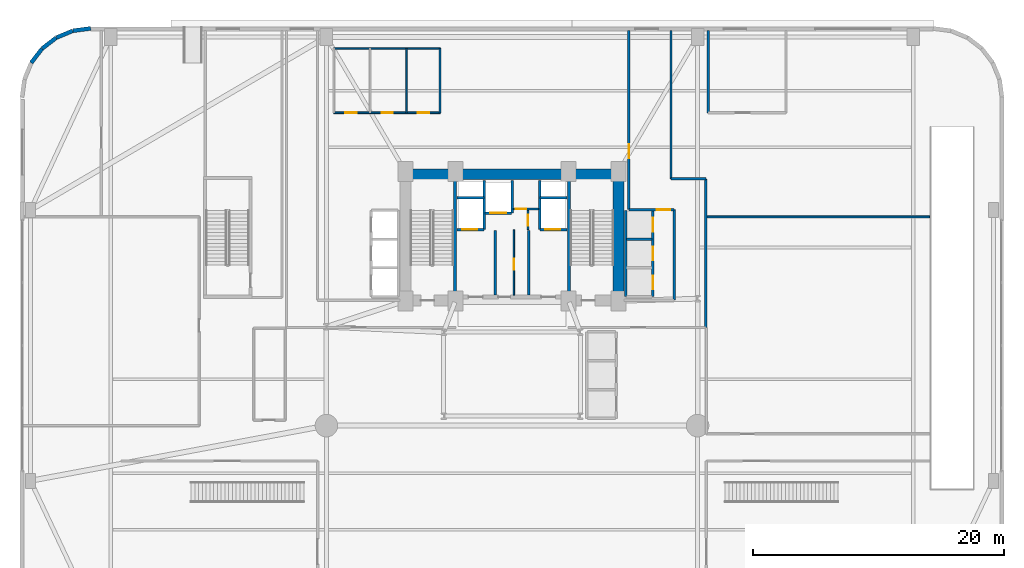
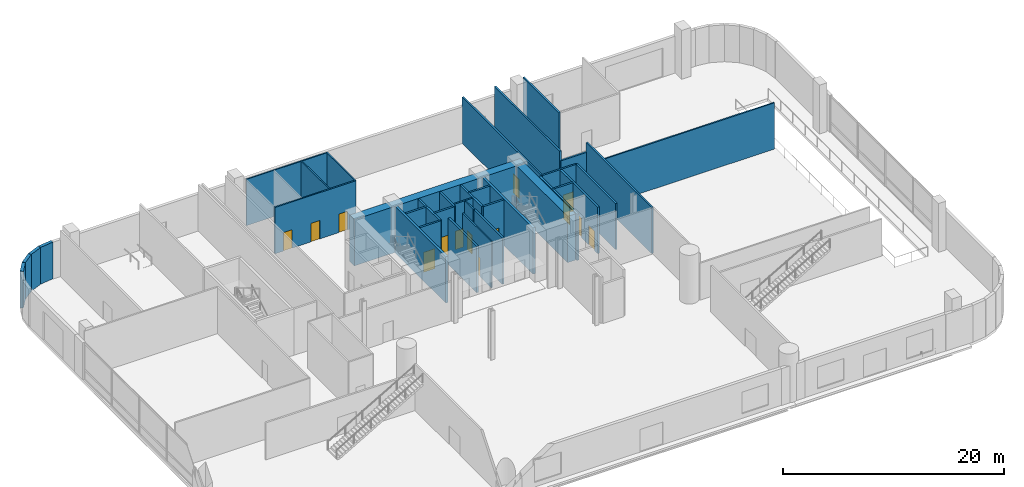
# One storey, part 18 of 26: 36 walls, 14 doors, 14 openings.
"""IFC4 building model written with IfcOpenShell, lengths in metres."""

from ifc_helpers import new_model, si_unit, direction, frame, frame_2d, origin, place, context, subcontext, project, spatial, rectangle, extrude, material, layer, layer_set, type_object, element, fill, save


model = new_model("IFC4")

# Units and contexts
model_context = context("Model", 3, precision=1e-05, world=origin(), true_north=direction((0.0, 1.0)))
body_context = subcontext(model_context, "Body", "Model", "MODEL_VIEW")
ifc_project = project(units=[si_unit("LENGTHUNIT", "METRE"), si_unit("AREAUNIT", "SQUARE_METRE"), si_unit("VOLUMEUNIT", "CUBIC_METRE"), si_unit("PLANEANGLEUNIT", "RADIAN"), si_unit("MASSUNIT", "GRAM", prefix="KILO")], contexts=[model_context])

# Site, building, storey
site_placement = place(None, origin())
site = spatial("IfcSite", under=ifc_project, at=site_placement, CompositionType="ELEMENT")
building_placement = place(site_placement, origin())
building = spatial("IfcBuilding", under=site, at=building_placement, Name="Varnelok Gate Tower", CompositionType="ELEMENT")
storey_placement = place(building_placement, origin())
storey = spatial("IfcBuildingStorey", under=building, at=storey_placement, Name="L00", CompositionType="ELEMENT", Elevation=0.0)

# Walls
ifc_material_1 = material(Name="Concrete C45/55", Category="concrete")
ifc_layer_1 = layer(ifc_material_1, 0.320068359375)
ifc_layer_set_1 = layer_set([ifc_layer_1], Name="Concrete C45/55")
wall_type_1 = type_object("IfcWallType", Name="EW-POD-320", PredefinedType="SOLIDWALL", material=ifc_layer_set_1)
wall_1_placement = place(storey_placement, frame((5.60009765625, 50.47900390625, 0.0), z_axis=(0.0, 0.0, 1.0), x_axis=(-0.991439766505, -0.130564885759, 0.0)))
element("IfcWall", 1, at=wall_1_placement, inside=storey, type_object=wall_type_1, Name="L00 Perimeter Facade Closure Wall 25", PredefinedType="SOLIDWALL", context=body_context, shape_type="SweptSolid", body=[
    extrude(rectangle(XDim=1.430419921875, YDim=0.320068359375, at=frame_2d((0.71533203125, 0.0))), origin(), (0.0, 0.0, 1.0), 4.070068359375),
])
wall_2_placement = place(storey_placement, frame((4.15869140625, 50.28271484375, 0.0), z_axis=(0.0, 0.0, 1.0), x_axis=(-0.923841042178, -0.382776343035, 0.0)))
element("IfcWall", 2, at=wall_2_placement, inside=storey, type_object=wall_type_1, Name="L00 Perimeter Facade Closure Wall 26", PredefinedType="SOLIDWALL", context=body_context, shape_type="SweptSolid", body=[
    extrude(rectangle(XDim=1.405029296875, YDim=0.320068359375, at=frame_2d((0.70263671875, 0.0))), origin(), (0.0, 0.0, 1.0), 4.070068359375),
])
wall_3_placement = place(storey_placement, frame((2.8408203125, 49.729736328125, 0.0), z_axis=(0.0, 0.0, 1.0), x_axis=(-0.79338541907, -0.60871962085, 0.0)))
element("IfcWall", 3, at=wall_3_placement, inside=storey, type_object=wall_type_1, Name="L00 Perimeter Facade Closure Wall 27", PredefinedType="SOLIDWALL", context=body_context, shape_type="SweptSolid", body=[
    extrude(rectangle(XDim=1.4052734375, YDim=0.320068359375, at=frame_2d((0.70263671875, 0.0))), origin(), (0.0, 0.0, 1.0), 4.070068359375),
])
wall_4_placement = place(storey_placement, frame((1.710693359375, 48.8544921875, 0.0), z_axis=(0.0, 0.0, 1.0), x_axis=(-0.608828954222, -0.793301521807, 0.0)))
element("IfcWall", 4, at=wall_4_placement, inside=storey, type_object=wall_type_1, Name="L00 Perimeter Facade Closure Wall 28", PredefinedType="SOLIDWALL", context=body_context, shape_type="SweptSolid", body=[
    extrude(rectangle(XDim=1.405517578125, YDim=0.320068359375, at=frame_2d((0.70263671875, 0.0))), origin(), (0.0, 0.0, 1.0), 4.070068359375),
])
ifc_material_2 = material(Name="Gypsum Plasterboard Acoustic Partition", Category="gypsum")
ifc_layer_2 = layer(ifc_material_2, 0.179931640625)
ifc_layer_set_2 = layer_set([ifc_layer_2], Name="Gypsum Plasterboard Acoustic Partition")
wall_type_2 = type_object("IfcWallType", Name="PW-CORR-180", PredefinedType="PARTITIONING", material=ifc_layer_set_2)
wall_5_placement = place(storey_placement, frame((52.139892578125, 28.800048828125, 0.0), z_axis=(0.0, 0.0, 1.0), x_axis=(0.0, 1.0, 0.0)))
element("IfcWall", 5, at=wall_5_placement, inside=storey, type_object=wall_type_2, Name="Interior Partition", PredefinedType="PARTITIONING", context=body_context, shape_type="SweptSolid", body=[
    extrude(rectangle(XDim=7.219970703125, YDim=0.179931640625, at=frame_2d((3.60986328125, 0.0))), origin(), (0.0, 0.0, 1.0), 5.1201171875),
])

# Wall, opening, door
wall_6_placement = place(storey_placement, frame((48.52001953125, 36.02001953125, 0.0), z_axis=(0.0, 0.0, 1.0), x_axis=(1.0, 0.0, 0.0)))
wall_6 = element("IfcWall", 6, at=wall_6_placement, inside=storey, type_object=wall_type_2, Name="Interior Partition", PredefinedType="PARTITIONING", context=body_context, shape_type="SweptSolid", body=[
    extrude(rectangle(XDim=3.619873046875, YDim=0.179931640625, at=frame_2d((1.81005859375, 0.0))), origin(), (0.0, 0.0, 1.0), 5.1201171875),
])
opening_1_placement = place(wall_6_placement, frame((2.208251953125, 0.0, 0.0)))
opening_1 = element("IfcOpeningElement", 7, at=opening_1_placement, cuts=wall_6, Name="Opening D-FF", PredefinedType="OPENING", context=body_context, shape_type="SweptSolid", body=[
    extrude(rectangle(XDim=1.10009765625, YDim=2.14990234375, at=frame_2d((0.550048828125, 1.074951171875))), frame((0.0, 0.099853515625, 0.0), z_axis=(0.0, -1.0, 0.0), x_axis=(1.0, 0.0, 0.0)), (0.0, 0.0, 1.0), 0.199951171875),
])
ifc_material_3 = material(Name="Galvanized Steel Grade S350GD", Category="steel")
door_type_1 = type_object("IfcDoorType", Name="DR-FFLOB-1100", OperationType="NOTDEFINED", PredefinedType="DOOR", material=ifc_material_3)
door_1_placement = place(opening_1_placement, origin())
door_1 = element("IfcDoor", 8, at=door_1_placement, inside=storey, type_object=door_type_1, Name="L00 Mid-Rise Lift Lobby Exit Door", OperationType="SINGLE_SWING_LEFT", OverallHeight=2.14990234375, OverallWidth=1.10009765625, PredefinedType="DOOR", context=body_context, shape_type="SweptSolid", body=[
    extrude(rectangle(XDim=1.10009765625, YDim=2.14990234375, at=frame_2d((0.550048828125, 1.074951171875))), frame((0.0, 0.02490234375, 0.0), z_axis=(0.0, -1.0, 0.0), x_axis=(1.0, 0.0, 0.0)), (0.0, 0.0, 1.0), 0.050048828125),
])
fill(opening_1, door_1)

wall_7_placement = place(storey_placement, frame((48.52001953125, 36.02001953125, 0.0), z_axis=(0.0, 0.0, 1.0), x_axis=(0.0, 1.0, 0.0)))
wall_7 = element("IfcWall", 9, at=wall_7_placement, inside=storey, type_object=wall_type_2, Name="Interior Partition", PredefinedType="PARTITIONING", context=body_context, shape_type="SweptSolid", body=[
    extrude(rectangle(XDim=14.300048828125, YDim=0.179931640625, at=frame_2d((7.14990234375, 0.0))), origin(), (0.0, 0.0, 1.0), 5.1201171875),
])
opening_2_placement = place(wall_7_placement, frame((4.103271484375, 0.0, 0.0)))
opening_2 = element("IfcOpeningElement", 10, at=opening_2_placement, cuts=wall_7, Name="Opening D-FF", PredefinedType="OPENING", context=body_context, shape_type="SweptSolid", body=[
    extrude(rectangle(XDim=1.10009765625, YDim=2.14990234375, at=frame_2d((0.550048828125, 1.074951171875))), frame((0.0, 0.099853515625, 0.0), z_axis=(0.0, -1.0, 0.0), x_axis=(1.0, 0.0, 0.0)), (0.0, 0.0, 1.0), 0.199951171875),
])
door_2_placement = place(opening_2_placement, origin())
door_2 = element("IfcDoor", 11, at=door_2_placement, inside=storey, type_object=door_type_1, Name="L00 East Exit Passage Lobby Door", OperationType="SINGLE_SWING_RIGHT", OverallHeight=2.14990234375, OverallWidth=1.10009765625, PredefinedType="DOOR", context=body_context, shape_type="SweptSolid", body=[
    extrude(rectangle(XDim=1.10009765625, YDim=2.14990234375, at=frame_2d((0.550048828125, 1.074951171875))), frame((0.0, 0.02490234375, 0.0), z_axis=(0.0, -1.0, 0.0), x_axis=(1.0, 0.0, 0.0)), (0.0, 0.0, 1.0), 0.050048828125),
])
fill(opening_2, door_2)

# Walls
wall_8_placement = place(storey_placement, frame((51.8798828125, 38.47998046875, 0.0), z_axis=(0.0, 0.0, 1.0), x_axis=(1.0, 0.0, 0.0)))
element("IfcWall", 12, at=wall_8_placement, inside=storey, type_object=wall_type_2, Name="Interior Partition", PredefinedType="PARTITIONING", context=body_context, shape_type="SweptSolid", body=[
    extrude(rectangle(XDim=2.780029296875, YDim=0.179931640625, at=frame_2d((1.39013671875, 0.0))), origin(), (0.0, 0.0, 1.0), 4.0849609375),
])
wall_9_placement = place(storey_placement, frame((51.8798828125, 38.47998046875, 0.0), z_axis=(0.0, 0.0, 1.0), x_axis=(0.0, 1.0, 0.0)))
element("IfcWall", 13, at=wall_9_placement, inside=storey, type_object=wall_type_2, Name="Interior Partition", PredefinedType="PARTITIONING", context=body_context, shape_type="SweptSolid", body=[
    extrude(rectangle(XDim=11.840087890625, YDim=0.179931640625, at=frame_2d((5.919921875, 0.0))), origin(), (0.0, 0.0, 1.0), 5.1201171875),
])
wall_10_placement = place(storey_placement, frame((54.659912109375, 26.6201171875, 0.0), z_axis=(0.0, 0.0, 1.0), x_axis=(0.0, 1.0, 0.0)))
element("IfcWall", 14, at=wall_10_placement, inside=storey, type_object=wall_type_2, Name="Interior Partition", PredefinedType="PARTITIONING", context=body_context, shape_type="SweptSolid", body=[
    extrude(rectangle(XDim=11.85986328125, YDim=0.179931640625, at=frame_2d((5.929931640625, 0.0))), origin(), (0.0, 0.0, 1.0), 5.1201171875),
])
wall_11_placement = place(storey_placement, frame((54.85009765625, 43.75, 0.0), z_axis=(0.0, 0.0, 1.0), x_axis=(0.0, 1.0, 0.0)))
element("IfcWall", 15, at=wall_11_placement, inside=storey, type_object=wall_type_2, Name="Interior Partition", PredefinedType="PARTITIONING", context=body_context, shape_type="SweptSolid", body=[
    extrude(rectangle(XDim=6.550048828125, YDim=0.179931640625, at=frame_2d((3.27490234375, 0.0))), origin(), (0.0, 0.0, 1.0), 5.1201171875),
])
ifc_layer_3 = layer(ifc_material_2, 0.125)
ifc_layer_set_3 = layer_set([ifc_layer_3], Name="Gypsum Plasterboard Acoustic Partition")
wall_type_3 = type_object("IfcWallType", Name="PW-PART-125", PredefinedType="PARTITIONING", material=ifc_layer_set_3)
for number, where, z_axis, x_axis, name in (
    (16, (30.780029296875, 43.75, 0.0), (0.0, 0.0, 1.0), (0.0, 1.0, 0.0), "Interior Partition"),
    (17, (33.4599609375, 43.75, 0.0), (0.0, 0.0, 1.0), (0.0, 1.0, 0.0), "Interior Partition"),
):
    element("IfcWall", number, at=place(storey_placement, frame(where, z_axis=z_axis, x_axis=x_axis)), inside=storey, type_object=wall_type_3, Name=name, PredefinedType="PARTITIONING", context=body_context, shape_type="SweptSolid", body=[
        extrude(rectangle(XDim=5.1298828125, YDim=0.125, at=frame_2d((2.56494140625, 0.0))), origin(), (0.0, 0.0, 1.0), 5.1201171875),
    ])
wall_12_placement = place(storey_placement, frame((25.0, 48.8798828125, 0.0), z_axis=(0.0, 0.0, 1.0), x_axis=(1.0, 0.0, 0.0)))
element("IfcWall", 18, at=wall_12_placement, inside=storey, type_object=wall_type_3, Name="Interior Partition", PredefinedType="PARTITIONING", context=body_context, shape_type="SweptSolid", body=[
    extrude(rectangle(XDim=8.4599609375, YDim=0.125, at=frame_2d((4.22998046875, 0.0))), origin(), (0.0, 0.0, 1.0), 5.1201171875),
])

# Wall, opening, door
wall_13_placement = place(storey_placement, frame((39.35009765625, 29.199951171875, 0.0), z_axis=(0.0, 0.0, 1.0), x_axis=(0.0, 1.0, 0.0)))
wall_13 = element("IfcWall", 19, at=wall_13_placement, inside=storey, type_object=wall_type_3, Name="Interior Partition", PredefinedType="PARTITIONING", context=body_context, shape_type="SweptSolid", body=[
    extrude(rectangle(XDim=5.219970703125, YDim=0.125, at=frame_2d((2.60986328125, 0.0))), origin(), (0.0, 0.0, 1.0), 5.1201171875),
])
opening_3_placement = place(wall_13_placement, frame((2.050048828125, 0.0, 0.0)))
opening_3 = element("IfcOpeningElement", 20, at=opening_3_placement, cuts=wall_13, Name="Opening D-RS", PredefinedType="OPENING", context=body_context, shape_type="SweptSolid", body=[
    extrude(rectangle(XDim=0.85009765625, YDim=2.050048828125, at=frame_2d((0.425048828125, 1.02490234375))), frame((0.0, 0.072509765625, 0.0), z_axis=(0.0, -1.0, 0.0), x_axis=(1.0, 0.0, 0.0)), (0.0, 0.0, 1.0), 0.14501953125),
])
door_type_2 = type_object("IfcDoorType", Name="DR-RISER-850", OperationType="NOTDEFINED", PredefinedType="DOOR", material=ifc_material_3)
door_3_placement = place(opening_3_placement, origin())
door_3 = element("IfcDoor", 21, at=door_3_placement, inside=storey, type_object=door_type_2, Name="L00 Housekeeping Linen Door", OperationType="SINGLE_SWING_RIGHT", OverallHeight=2.050048828125, OverallWidth=0.85009765625, PredefinedType="DOOR", context=body_context, shape_type="SweptSolid", body=[
    extrude(rectangle(XDim=0.85009765625, YDim=2.050048828125, at=frame_2d((0.425048828125, 1.02490234375))), frame((0.0, 0.02490234375, 0.0), z_axis=(0.0, -1.0, 0.0), x_axis=(1.0, 0.0, 0.0)), (0.0, 0.0, 1.0), 0.050048828125),
])
fill(opening_3, door_3)

# Wall, openings, doors
ifc_layer_4 = layer(ifc_material_2, 0.14990234375)
ifc_layer_set_4 = layer_set([ifc_layer_4], Name="Gypsum Plasterboard Acoustic Partition")
wall_type_4 = type_object("IfcWallType", Name="PW-PART-150", PredefinedType="PARTITIONING", material=ifc_layer_set_4)
wall_14_placement = place(storey_placement, frame((25.0, 43.75, 0.0), z_axis=(0.0, 0.0, 1.0), x_axis=(1.0, 0.0, 0.0)))
wall_14 = element("IfcWall", 22, at=wall_14_placement, inside=storey, type_object=wall_type_4, Name="Interior Partition", PredefinedType="PARTITIONING", context=body_context, shape_type="SweptSolid", body=[
    extrude(rectangle(XDim=8.4599609375, YDim=0.14990234375, at=frame_2d((4.22998046875, 0.0))), origin(), (0.0, 0.0, 1.0), 5.1201171875),
])
opening_4_placement = place(wall_14_placement, frame((0.89990234375, 0.0, 0.0)))
opening_4 = element("IfcOpeningElement", 23, at=opening_4_placement, cuts=wall_14, Name="Opening D-WC", PredefinedType="OPENING", context=body_context, shape_type="SweptSolid", body=[
    extrude(rectangle(XDim=0.89990234375, YDim=2.050048828125, at=frame_2d((0.449951171875, 1.02490234375))), frame((0.0, 0.0849609375, 0.0), z_axis=(0.0, -1.0, 0.0), x_axis=(1.0, 0.0, 0.0)), (0.0, 0.0, 1.0), 0.169921875),
])
opening_5_placement = place(wall_14_placement, frame((3.800048828125, 0.0, 0.0)))
opening_5 = element("IfcOpeningElement", 24, at=opening_5_placement, cuts=wall_14, Name="Opening D-WC", PredefinedType="OPENING", context=body_context, shape_type="SweptSolid", body=[
    extrude(rectangle(XDim=0.89990234375, YDim=2.050048828125, at=frame_2d((0.449951171875, 1.02490234375))), frame((0.0, 0.0849609375, 0.0), z_axis=(0.0, -1.0, 0.0), x_axis=(1.0, 0.0, 0.0)), (0.0, 0.0, 1.0), 0.169921875),
])
opening_6_placement = place(wall_14_placement, frame((6.699951171875, 0.0, 0.0)))
opening_6 = element("IfcOpeningElement", 25, at=opening_6_placement, cuts=wall_14, Name="Opening D-WC", PredefinedType="OPENING", context=body_context, shape_type="SweptSolid", body=[
    extrude(rectangle(XDim=0.89990234375, YDim=2.050048828125, at=frame_2d((0.449951171875, 1.02490234375))), frame((0.0, 0.0849609375, 0.0), z_axis=(0.0, -1.0, 0.0), x_axis=(1.0, 0.0, 0.0)), (0.0, 0.0, 1.0), 0.169921875),
])
ifc_material_4 = material(Name="Engineered Hardwood Timber", Category="wood")
door_type_3 = type_object("IfcDoorType", Name="DR-BATH-900", OperationType="NOTDEFINED", PredefinedType="DOOR", material=ifc_material_4)
door_4_placement = place(opening_4_placement, origin())
door_4 = element("IfcDoor", 26, at=door_4_placement, inside=storey, type_object=door_type_3, Name="L00 Male WC Door", OperationType="SINGLE_SWING_LEFT", OverallHeight=2.050048828125, OverallWidth=0.89990234375, PredefinedType="DOOR", context=body_context, shape_type="SweptSolid", body=[
    extrude(rectangle(XDim=0.89990234375, YDim=2.050048828125, at=frame_2d((0.449951171875, 1.02490234375))), frame((0.0, 0.02490234375, 0.0), z_axis=(0.0, -1.0, 0.0), x_axis=(1.0, 0.0, 0.0)), (0.0, 0.0, 1.0), 0.050048828125),
])
fill(opening_4, door_4)
door_5_placement = place(opening_5_placement, origin())
door_5 = element("IfcDoor", 27, at=door_5_placement, inside=storey, type_object=door_type_3, Name="L00 Female WC Door", OperationType="SINGLE_SWING_RIGHT", OverallHeight=2.050048828125, OverallWidth=0.89990234375, PredefinedType="DOOR", context=body_context, shape_type="SweptSolid", body=[
    extrude(rectangle(XDim=0.89990234375, YDim=2.050048828125, at=frame_2d((0.449951171875, 1.02490234375))), frame((0.0, 0.02490234375, 0.0), z_axis=(0.0, -1.0, 0.0), x_axis=(1.0, 0.0, 0.0)), (0.0, 0.0, 1.0), 0.050048828125),
])
fill(opening_5, door_5)
door_6_placement = place(opening_6_placement, origin())
door_6 = element("IfcDoor", 28, at=door_6_placement, inside=storey, type_object=door_type_3, Name="L00 Accessible WC Door", OperationType="SINGLE_SWING_LEFT", OverallHeight=2.050048828125, OverallWidth=0.89990234375, PredefinedType="DOOR", context=body_context, shape_type="SweptSolid", body=[
    extrude(rectangle(XDim=0.89990234375, YDim=2.050048828125, at=frame_2d((0.449951171875, 1.02490234375))), frame((0.0, 0.02490234375, 0.0), z_axis=(0.0, -1.0, 0.0), x_axis=(1.0, 0.0, 0.0)), (0.0, 0.0, 1.0), 0.050048828125),
])
fill(opening_6, door_6)

# Wall
wall_15_placement = place(storey_placement, frame((54.699951171875, 35.449951171875, 0.0), z_axis=(0.0, 0.0, 1.0), x_axis=(1.0, 0.0, 0.0)))
element("IfcWall", 29, at=wall_15_placement, inside=storey, type_object=wall_type_4, Name="Interior Partition", PredefinedType="PARTITIONING", context=body_context, shape_type="SweptSolid", body=[
    extrude(rectangle(XDim=17.800048828125, YDim=0.14990234375, at=frame_2d((8.89990234375, 0.0))), origin(), (0.0, 0.0, 1.0), 5.1201171875),
])

# Wall, opening, door
wall_16_placement = place(storey_placement, frame((39.300048828125, 36.080078125, 0.0), z_axis=(0.0, 0.0, 1.0), x_axis=(1.0, 0.0, 0.0)))
wall_16 = element("IfcWall", 30, at=wall_16_placement, inside=storey, type_object=wall_type_4, Name="L00 Electrical Closet South Wall", PredefinedType="PARTITIONING", context=body_context, shape_type="SweptSolid", body=[
    extrude(rectangle(XDim=2.02001953125, YDim=0.14990234375, at=frame_2d((1.010009765625, 0.0))), origin(), (0.0, 0.0, 1.0), 5.1201171875),
])
opening_7_placement = place(wall_16_placement, frame((0.179931640625, 0.0, 0.0)))
opening_7 = element("IfcOpeningElement", 31, at=opening_7_placement, cuts=wall_16, Name="Opening D-RS", PredefinedType="OPENING", context=body_context, shape_type="SweptSolid", body=[
    extrude(rectangle(XDim=0.85009765625, YDim=2.050048828125, at=frame_2d((0.425048828125, 1.02490234375))), frame((0.0, 0.0849609375, 0.0), z_axis=(0.0, -1.0, 0.0), x_axis=(1.0, 0.0, 0.0)), (0.0, 0.0, 1.0), 0.169921875),
])
door_7_placement = place(opening_7_placement, origin())
door_7 = element("IfcDoor", 32, at=door_7_placement, inside=storey, type_object=door_type_2, Name="L00 Electrical Closet Door", OperationType="SINGLE_SWING_RIGHT", OverallHeight=2.050048828125, OverallWidth=0.85009765625, PredefinedType="DOOR", context=body_context, shape_type="SweptSolid", body=[
    extrude(rectangle(XDim=0.85009765625, YDim=2.050048828125, at=frame_2d((0.425048828125, 1.02490234375))), frame((0.0, 0.02490234375, 0.0), z_axis=(0.0, -1.0, 0.0), x_axis=(1.0, 0.0, 0.0)), (0.0, 0.0, 1.0), 0.050048828125),
])
fill(opening_7, door_7)

wall_17_placement = place(storey_placement, frame((40.47998046875, 34.43994140625, 0.0), z_axis=(0.0, 0.0, 1.0), x_axis=(0.0, 1.0, 0.0)))
wall_17 = element("IfcWall", 33, at=wall_17_placement, inside=storey, type_object=wall_type_4, Name="L00 Telecoms Closet West Wall", PredefinedType="PARTITIONING", context=body_context, shape_type="SweptSolid", body=[
    extrude(rectangle(XDim=1.52001953125, YDim=0.14990234375, at=frame_2d((0.760009765625, 0.0))), origin(), (0.0, 0.0, 1.0), 5.1201171875),
])
opening_8_placement = place(wall_17_placement, frame((0.320068359375, 0.0, 0.0)))
opening_8 = element("IfcOpeningElement", 34, at=opening_8_placement, cuts=wall_17, Name="Opening D-RS", PredefinedType="OPENING", context=body_context, shape_type="SweptSolid", body=[
    extrude(rectangle(XDim=0.85009765625, YDim=2.050048828125, at=frame_2d((0.425048828125, 1.02490234375))), frame((0.0, 0.0849609375, 0.0), z_axis=(0.0, -1.0, 0.0), x_axis=(1.0, 0.0, 0.0)), (0.0, 0.0, 1.0), 0.169921875),
])
door_8_placement = place(opening_8_placement, origin())
door_8 = element("IfcDoor", 35, at=door_8_placement, inside=storey, type_object=door_type_2, Name="L00 Telecoms Closet Door", OperationType="SINGLE_SWING_LEFT", OverallHeight=2.050048828125, OverallWidth=0.85009765625, PredefinedType="DOOR", context=body_context, shape_type="SweptSolid", body=[
    extrude(rectangle(XDim=0.85009765625, YDim=2.050048828125, at=frame_2d((0.425048828125, 1.02490234375))), frame((0.0, 0.02490234375, 0.0), z_axis=(0.0, -1.0, 0.0), x_axis=(1.0, 0.0, 0.0)), (0.0, 0.0, 1.0), 0.050048828125),
])
fill(opening_8, door_8)

# Walls
ifc_material_5 = material(Name="Concrete C35/45", Category="concrete")
ifc_layer_5 = layer(ifc_material_5, 0.199951171875)
ifc_layer_set_5 = layer_set([ifc_layer_5], Name="Concrete C35/45")
wall_type_5 = type_object("IfcWallType", Name="PW-SHAFT-200", PredefinedType="PARTITIONING", material=ifc_layer_set_5)
for number, where, z_axis, x_axis, name in (
    (36, (37.860107421875, 29.199951171875, 0.0), (0.0, 0.0, 1.0), (0.0, 1.0, 0.0), "L00 West FF Lobby Rated Wall"),
    (37, (40.5400390625, 29.199951171875, 0.0), (0.0, 0.0, 1.0), (0.0, 1.0, 0.0), "L00 East FF Lobby Rated Wall"),
):
    element("IfcWall", number, at=place(storey_placement, frame(where, z_axis=z_axis, x_axis=x_axis)), inside=storey, type_object=wall_type_5, Name=name, PredefinedType="PARTITIONING", context=body_context, shape_type="SweptSolid", body=[
        extrude(rectangle(XDim=5.179931640625, YDim=0.199951171875, at=frame_2d((2.58984375, 0.0))), origin(), (0.0, 0.0, 1.0), 5.1201171875),
    ])

# Wall, opening, door
wall_18_placement = place(storey_placement, frame((34.800048828125, 34.43994140625, 0.0), z_axis=(0.0, 0.0, 1.0), x_axis=(1.0, 0.0, 0.0)))
wall_18 = element("IfcWall", 38, at=wall_18_placement, inside=storey, type_object=wall_type_5, Name="L00 FF1 Shaft Front Wall", PredefinedType="PARTITIONING", context=body_context, shape_type="SweptSolid", body=[
    extrude(rectangle(XDim=2.179931640625, YDim=0.199951171875, at=frame_2d((1.08984375, 0.0))), origin(), (0.0, 0.0, 1.0), 5.1201171875),
])
opening_9_placement = place(wall_18_placement, frame((0.419921875, 0.0, 0.0)))
opening_9 = element("IfcOpeningElement", 39, at=opening_9_placement, cuts=wall_18, Name="Opening LD-FF1", PredefinedType="OPENING", context=body_context, shape_type="SweptSolid", body=[
    extrude(rectangle(XDim=1.199951171875, YDim=2.199951171875, at=frame_2d((0.60009765625, 1.10009765625))), frame((0.0, 0.10986328125, 0.0), z_axis=(0.0, -1.0, 0.0), x_axis=(1.0, 0.0, 0.0)), (0.0, 0.0, 1.0), 0.219970703125),
])
door_type_4 = type_object("IfcDoorType", Name="DR-LIFT-FF1200", OperationType="SLIDING_TO_LEFT", PredefinedType="DOOR", material=ifc_material_3)
door_9_placement = place(opening_9_placement, origin())
door_9 = element("IfcDoor", 40, at=door_9_placement, inside=storey, type_object=door_type_4, Name="L00 Firefighting Lift Landing Door LD-FF1", OperationType="SLIDING_TO_LEFT", OverallHeight=2.199951171875, OverallWidth=1.199951171875, PredefinedType="DOOR", context=body_context, shape_type="SweptSolid", body=[
    extrude(rectangle(XDim=1.199951171875, YDim=2.199951171875, at=frame_2d((0.60009765625, 1.10009765625))), frame((0.0, 0.02490234375, 0.0), z_axis=(0.0, -1.0, 0.0), x_axis=(1.0, 0.0, 0.0)), (0.0, 0.0, 1.0), 0.050048828125),
])
fill(opening_9, door_9)

# Walls
wall_19_placement = place(storey_placement, frame((34.800048828125, 36.97998046875, 0.0), z_axis=(0.0, 0.0, 1.0), x_axis=(1.0, 0.0, 0.0)))
element("IfcWall", 41, at=wall_19_placement, inside=storey, type_object=wall_type_5, Name="L00 FF1 Shaft North Wall", PredefinedType="PARTITIONING", context=body_context, shape_type="SweptSolid", body=[
    extrude(rectangle(XDim=2.179931640625, YDim=0.199951171875, at=frame_2d((1.08984375, 0.0))), origin(), (0.0, 0.0, 1.0), 5.1201171875),
])
wall_20_placement = place(storey_placement, frame((37.0, 34.43994140625, 0.0), z_axis=(0.0, 0.0, 1.0), x_axis=(0.0, 1.0, 0.0)))
element("IfcWall", 42, at=wall_20_placement, inside=storey, type_object=wall_type_5, Name="L00 FF1 Shaft Side Wall", PredefinedType="PARTITIONING", context=body_context, shape_type="SweptSolid", body=[
    extrude(rectangle(XDim=3.900146484375, YDim=0.199951171875, at=frame_2d((1.9501953125, 0.0))), origin(), (0.0, 0.0, 1.0), 5.1201171875),
])

# Wall, opening, door
wall_21_placement = place(storey_placement, frame((41.419921875, 34.43994140625, 0.0), z_axis=(0.0, 0.0, 1.0), x_axis=(1.0, 0.0, 0.0)))
wall_21 = element("IfcWall", 43, at=wall_21_placement, inside=storey, type_object=wall_type_5, Name="L00 FF2 Shaft Front Wall", PredefinedType="PARTITIONING", context=body_context, shape_type="SweptSolid", body=[
    extrude(rectangle(XDim=2.18017578125, YDim=0.199951171875, at=frame_2d((1.090087890625, 0.0))), origin(), (0.0, 0.0, 1.0), 5.1201171875),
])
opening_10_placement = place(wall_21_placement, frame((0.419921875, 0.0, 0.0)))
opening_10 = element("IfcOpeningElement", 44, at=opening_10_placement, cuts=wall_21, Name="Opening LD-FF2", PredefinedType="OPENING", context=body_context, shape_type="SweptSolid", body=[
    extrude(rectangle(XDim=1.199951171875, YDim=2.199951171875, at=frame_2d((0.60009765625, 1.10009765625))), frame((0.0, 0.10986328125, 0.0), z_axis=(0.0, -1.0, 0.0), x_axis=(1.0, 0.0, 0.0)), (0.0, 0.0, 1.0), 0.219970703125),
])
door_10_placement = place(opening_10_placement, origin())
door_10 = element("IfcDoor", 45, at=door_10_placement, inside=storey, type_object=door_type_4, Name="L00 Firefighting Lift Landing Door LD-FF2", OperationType="SLIDING_TO_LEFT", OverallHeight=2.199951171875, OverallWidth=1.199951171875, PredefinedType="DOOR", context=body_context, shape_type="SweptSolid", body=[
    extrude(rectangle(XDim=1.199951171875, YDim=2.199951171875, at=frame_2d((0.60009765625, 1.10009765625))), frame((0.0, 0.02490234375, 0.0), z_axis=(0.0, -1.0, 0.0), x_axis=(1.0, 0.0, 0.0)), (0.0, 0.0, 1.0), 0.050048828125),
])
fill(opening_10, door_10)

# Walls
wall_22_placement = place(storey_placement, frame((41.419921875, 36.97998046875, 0.0), z_axis=(0.0, 0.0, 1.0), x_axis=(1.0, 0.0, 0.0)))
element("IfcWall", 46, at=wall_22_placement, inside=storey, type_object=wall_type_5, Name="L00 FF2 Shaft North Wall", PredefinedType="PARTITIONING", context=body_context, shape_type="SweptSolid", body=[
    extrude(rectangle(XDim=2.18017578125, YDim=0.199951171875, at=frame_2d((1.090087890625, 0.0))), origin(), (0.0, 0.0, 1.0), 5.1201171875),
])
wall_23_placement = place(storey_placement, frame((41.39990234375, 34.43994140625, 0.0), z_axis=(0.0, 0.0, 1.0), x_axis=(0.0, 1.0, 0.0)))
element("IfcWall", 47, at=wall_23_placement, inside=storey, type_object=wall_type_5, Name="L00 FF2 Shaft Side Wall", PredefinedType="PARTITIONING", context=body_context, shape_type="SweptSolid", body=[
    extrude(rectangle(XDim=3.900146484375, YDim=0.199951171875, at=frame_2d((1.9501953125, 0.0))), origin(), (0.0, 0.0, 1.0), 5.1201171875),
])

# Wall, opening, door
wall_24_placement = place(storey_placement, frame((37.06005859375, 35.75, 0.0), z_axis=(0.0, 0.0, 1.0), x_axis=(1.0, 0.0, 0.0)))
wall_24 = element("IfcWall", 48, at=wall_24_placement, inside=storey, type_object=wall_type_5, Name="L00 SV1 Shaft Front Wall", PredefinedType="PARTITIONING", context=body_context, shape_type="SweptSolid", body=[
    extrude(rectangle(XDim=2.119873046875, YDim=0.199951171875, at=frame_2d((1.06005859375, 0.0))), origin(), (0.0, 0.0, 1.0), 5.1201171875),
])
opening_11_placement = place(wall_24_placement, frame((0.39990234375, 0.0, 0.0)))
opening_11 = element("IfcOpeningElement", 49, at=opening_11_placement, cuts=wall_24, Name="Opening LD-SV1", PredefinedType="OPENING", context=body_context, shape_type="SweptSolid", body=[
    extrude(rectangle(XDim=1.300048828125, YDim=2.199951171875, at=frame_2d((0.64990234375, 1.10009765625))), frame((0.0, 0.10986328125, 0.0), z_axis=(0.0, -1.0, 0.0), x_axis=(1.0, 0.0, 0.0)), (0.0, 0.0, 1.0), 0.219970703125),
])
door_type_5 = type_object("IfcDoorType", Name="DR-LIFT-SV1300", OperationType="SLIDING_TO_LEFT", PredefinedType="DOOR", material=ifc_material_3)
door_11_placement = place(opening_11_placement, origin())
door_11 = element("IfcDoor", 50, at=door_11_placement, inside=storey, type_object=door_type_5, Name="L00 Service Lift Landing Door LD-SV1", OperationType="SLIDING_TO_LEFT", OverallHeight=2.199951171875, OverallWidth=1.300048828125, PredefinedType="DOOR", context=body_context, shape_type="SweptSolid", body=[
    extrude(rectangle(XDim=1.300048828125, YDim=2.199951171875, at=frame_2d((0.64990234375, 1.10009765625))), frame((0.0, 0.02490234375, 0.0), z_axis=(0.0, -1.0, 0.0), x_axis=(1.0, 0.0, 0.0)), (0.0, 0.0, 1.0), 0.050048828125),
])
fill(opening_11, door_11)

# Walls
wall_25_placement = place(storey_placement, frame((39.219970703125, 35.75, 0.0), z_axis=(0.0, 0.0, 1.0), x_axis=(0.0, 1.0, 0.0)))
element("IfcWall", 51, at=wall_25_placement, inside=storey, type_object=wall_type_5, Name="L00 SV1 Shaft East Wall", PredefinedType="PARTITIONING", context=body_context, shape_type="SweptSolid", body=[
    extrude(rectangle(XDim=2.590087890625, YDim=0.199951171875, at=frame_2d((1.294921875, 0.0))), origin(), (0.0, 0.0, 1.0), 5.1201171875),
])
wall_26_placement = place(storey_placement, frame((48.320068359375, 33.675048828125, 0.0), z_axis=(0.0, 0.0, 1.0), x_axis=(1.0, 0.0, 0.0)))
element("IfcWall", 52, at=wall_26_placement, inside=storey, type_object=wall_type_5, Name="L00 PM2 Divider", PredefinedType="PARTITIONING", context=body_context, shape_type="SweptSolid", body=[
    extrude(rectangle(XDim=2.059814453125, YDim=0.199951171875, at=frame_2d((1.02978515625, 0.0))), origin(), (0.0, 0.0, 1.0), 5.1201171875),
])
wall_27_placement = place(storey_placement, frame((48.280029296875, 29.080078125, 0.0), z_axis=(0.0, 0.0, 1.0), x_axis=(0.0, 1.0, 0.0)))
element("IfcWall", 53, at=wall_27_placement, inside=storey, type_object=wall_type_5, Name="L00 PM Bank Back Wall", PredefinedType="PARTITIONING", context=body_context, shape_type="SweptSolid", body=[
    extrude(rectangle(XDim=6.889892578125, YDim=0.199951171875, at=frame_2d((3.44482421875, 0.0))), origin(), (0.0, 0.0, 1.0), 5.1201171875),
])

# Wall, openings, doors
wall_28_placement = place(storey_placement, frame((50.43994140625, 29.080078125, 0.0), z_axis=(0.0, 0.0, 1.0), x_axis=(0.0, 1.0, 0.0)))
wall_28 = element("IfcWall", 54, at=wall_28_placement, inside=storey, type_object=wall_type_5, Name="L00 PM Bank Front Wall", PredefinedType="PARTITIONING", context=body_context, shape_type="SweptSolid", body=[
    extrude(rectangle(XDim=6.889892578125, YDim=0.199951171875, at=frame_2d((3.44482421875, 0.0))), origin(), (0.0, 0.0, 1.0), 5.1201171875),
])
opening_12_placement = place(wall_28_placement, frame((0.590087890625, 0.0, 0.0)))
opening_12 = element("IfcOpeningElement", 55, at=opening_12_placement, cuts=wall_28, Name="Opening LD-PM1", PredefinedType="OPENING", context=body_context, shape_type="SweptSolid", body=[
    extrude(rectangle(XDim=1.10009765625, YDim=2.14990234375, at=frame_2d((0.550048828125, 1.074951171875))), frame((0.0, 0.10986328125, 0.0), z_axis=(0.0, -1.0, 0.0), x_axis=(1.0, 0.0, 0.0)), (0.0, 0.0, 1.0), 0.219970703125),
])
opening_13_placement = place(wall_28_placement, frame((2.889892578125, 0.0, 0.0)))
opening_13 = element("IfcOpeningElement", 56, at=opening_13_placement, cuts=wall_28, Name="Opening LD-PM2", PredefinedType="OPENING", context=body_context, shape_type="SweptSolid", body=[
    extrude(rectangle(XDim=1.10009765625, YDim=2.14990234375, at=frame_2d((0.550048828125, 1.074951171875))), frame((0.0, 0.10986328125, 0.0), z_axis=(0.0, -1.0, 0.0), x_axis=(1.0, 0.0, 0.0)), (0.0, 0.0, 1.0), 0.219970703125),
])
opening_14_placement = place(wall_28_placement, frame((5.18994140625, 0.0, 0.0)))
opening_14 = element("IfcOpeningElement", 57, at=opening_14_placement, cuts=wall_28, Name="Opening LD-PM3", PredefinedType="OPENING", context=body_context, shape_type="SweptSolid", body=[
    extrude(rectangle(XDim=1.10009765625, YDim=2.14990234375, at=frame_2d((0.550048828125, 1.074951171875))), frame((0.0, 0.10986328125, 0.0), z_axis=(0.0, -1.0, 0.0), x_axis=(1.0, 0.0, 0.0)), (0.0, 0.0, 1.0), 0.219970703125),
])
door_type_6 = type_object("IfcDoorType", Name="DR-LIFT-PAX1100", OperationType="SLIDING_TO_LEFT", PredefinedType="DOOR", material=ifc_material_3)
door_12_placement = place(opening_12_placement, origin())
door_12 = element("IfcDoor", 58, at=door_12_placement, inside=storey, type_object=door_type_6, Name="L00 Passenger Lift Landing Door LD-PM1", OperationType="SLIDING_TO_LEFT", OverallHeight=2.14990234375, OverallWidth=1.10009765625, PredefinedType="DOOR", context=body_context, shape_type="SweptSolid", body=[
    extrude(rectangle(XDim=1.10009765625, YDim=2.14990234375, at=frame_2d((0.550048828125, 1.074951171875))), frame((0.0, 0.02490234375, 0.0), z_axis=(0.0, -1.0, 0.0), x_axis=(1.0, 0.0, 0.0)), (0.0, 0.0, 1.0), 0.050048828125),
])
fill(opening_12, door_12)
door_13_placement = place(opening_13_placement, origin())
door_13 = element("IfcDoor", 59, at=door_13_placement, inside=storey, type_object=door_type_6, Name="L00 Passenger Lift Landing Door LD-PM2", OperationType="SLIDING_TO_LEFT", OverallHeight=2.14990234375, OverallWidth=1.10009765625, PredefinedType="DOOR", context=body_context, shape_type="SweptSolid", body=[
    extrude(rectangle(XDim=1.10009765625, YDim=2.14990234375, at=frame_2d((0.550048828125, 1.074951171875))), frame((0.0, 0.02490234375, 0.0), z_axis=(0.0, -1.0, 0.0), x_axis=(1.0, 0.0, 0.0)), (0.0, 0.0, 1.0), 0.050048828125),
])
fill(opening_13, door_13)
door_14_placement = place(opening_14_placement, origin())
door_14 = element("IfcDoor", 60, at=door_14_placement, inside=storey, type_object=door_type_6, Name="L00 Passenger Lift Landing Door LD-PM3", OperationType="SLIDING_TO_LEFT", OverallHeight=2.14990234375, OverallWidth=1.10009765625, PredefinedType="DOOR", context=body_context, shape_type="SweptSolid", body=[
    extrude(rectangle(XDim=1.10009765625, YDim=2.14990234375, at=frame_2d((0.550048828125, 1.074951171875))), frame((0.0, 0.02490234375, 0.0), z_axis=(0.0, -1.0, 0.0), x_axis=(1.0, 0.0, 0.0)), (0.0, 0.0, 1.0), 0.050048828125),
])
fill(opening_14, door_14)

# Walls
ifc_material_6 = material(Name="Concrete C70/85", Category="concrete")
ifc_layer_6 = layer(ifc_material_6, 0.85009765625)
ifc_layer_set_6 = layer_set([ifc_layer_6], Name="Concrete C70/85")
wall_type_6 = type_object("IfcWallType", Name="SW-CORE-850", PredefinedType="SHEAR", material=ifc_layer_set_6)
wall_29_placement = place(storey_placement, frame((30.280029296875, 38.844970703125, 0.0), z_axis=(0.0, 0.0, 1.0), x_axis=(1.0, 0.0, 0.0)))
element("IfcWall", 61, at=wall_29_placement, inside=storey, type_object=wall_type_6, Name="L00 Rear Core North Shear Wall", PredefinedType="SHEAR", context=body_context, shape_type="SweptSolid", body=[
    extrude(rectangle(XDim=17.840087890625, YDim=0.85009765625, at=frame_2d((8.919921875, 0.0))), origin(), (0.0, 0.0, 1.0), 5.1201171875),
])
wall_30_placement = place(storey_placement, frame((47.695068359375, 29.199951171875, 0.0), z_axis=(0.0, 0.0, 1.0), x_axis=(0.0, 1.0, 0.0)))
element("IfcWall", 62, at=wall_30_placement, inside=storey, type_object=wall_type_6, Name="L00 Rear Core East Shear Wall", PredefinedType="SHEAR", context=body_context, shape_type="SweptSolid", body=[
    extrude(rectangle(XDim=9.219970703125, YDim=0.85009765625, at=frame_2d((4.60986328125, 0.0))), origin(), (0.0, 0.0, 1.0), 5.1201171875),
])
ifc_material_7 = material(Name="Concrete C60/75", Category="concrete")
ifc_layer_7 = layer(ifc_material_7, 0.25)
ifc_layer_set_7 = layer_set([ifc_layer_7], Name="Concrete C60/75")
wall_type_7 = type_object("IfcWallType", Name="SW-SHAFT-250", PredefinedType="SHEAR", material=ifc_layer_set_7)
for number, where, z_axis, x_axis, name in (
    (63, (34.639892578125, 29.199951171875, 0.0), (0.0, 0.0, 1.0), (0.0, 1.0, 0.0), "L00 Stair ST-1 East Shear Wall"),
    (64, (43.760009765625, 29.199951171875, 0.0), (0.0, 0.0, 1.0), (0.0, 1.0, 0.0), "L00 Stair ST-2 West Shear Wall"),
):
    element("IfcWall", number, at=place(storey_placement, frame(where, z_axis=z_axis, x_axis=x_axis)), inside=storey, type_object=wall_type_7, Name=name, PredefinedType="SHEAR", context=body_context, shape_type="SweptSolid", body=[
        extrude(rectangle(XDim=9.219970703125, YDim=0.25, at=frame_2d((4.60986328125, 0.0))), origin(), (0.0, 0.0, 1.0), 5.1201171875),
    ])

save(model, "model.ifc")
